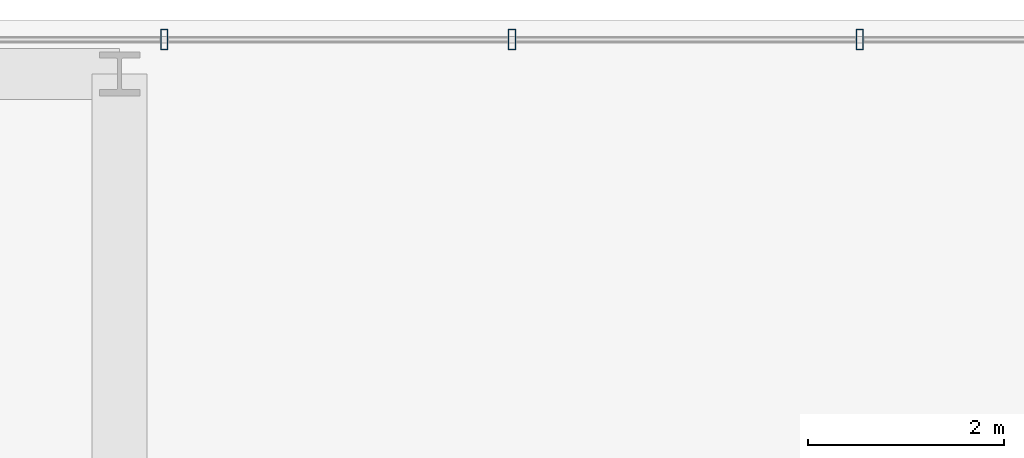
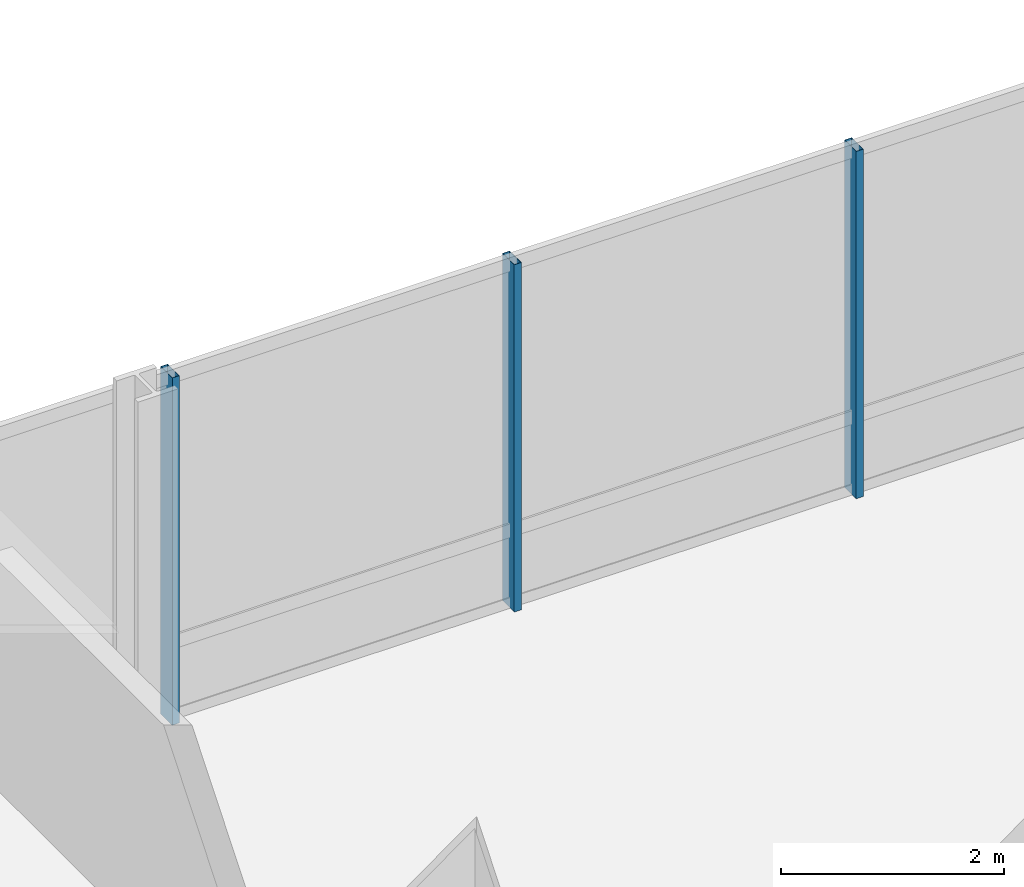
# One storey, part 24 of 34: 3 members, 1 element without a shape of its own.
"""IFC4 building model written with IfcOpenShell, lengths in metres."""

from ifc_helpers import new_model, si_unit, direction, frame, origin, origin_2d, place, context, subcontext, project, spatial, hollow_rectangle, extrude, material, material_profile, profile_set, type_object, element, aggregate, save


model = new_model("IFC4")

# Units and contexts
model_context = context("Model", 3, precision=1e-05, world=origin(), true_north=direction((0.0, 1.0)))
body_context = subcontext(model_context, "Body", "Model", "MODEL_VIEW")
ifc_project = project(units=[si_unit("LENGTHUNIT", "METRE"), si_unit("AREAUNIT", "SQUARE_METRE"), si_unit("VOLUMEUNIT", "CUBIC_METRE"), si_unit("PLANEANGLEUNIT", "RADIAN"), si_unit("MASSUNIT", "GRAM", prefix="KILO")], contexts=[model_context])

# Site, building, storey
site_placement = place(None, origin())
site = spatial("IfcSite", under=ifc_project, at=site_placement, CompositionType="ELEMENT")
building_placement = place(site_placement, origin())
building = spatial("IfcBuilding", under=site, at=building_placement, Name="Punatoya Terracotta Tower", CompositionType="ELEMENT")
storey_placement = place(building_placement, frame((0.0, 0.0, 117.300048828125)))
storey = spatial("IfcBuildingStorey", under=building, at=storey_placement, Name="L27", CompositionType="ELEMENT", Elevation=117.300048828125)

# Curtain wall, members
ifc_material_1 = material(Name="Aluminium 6063-T6 + Double Low-E Glass", Category="aluminium")
curtain_wall_type = type_object("IfcCurtainWallType", Name="CW-M1", PredefinedType="NOTDEFINED", material=ifc_material_1)
curtain_wall_placement = place(storey_placement, origin())
curtain_wall = element("IfcCurtainWall", 1, at=curtain_wall_placement, inside=storey, type_object=curtain_wall_type, Name="L27 Curtain Wall CW-L27-N08-1", PredefinedType="NOTDEFINED")
ifc_material_2 = material(Name="Aluminium 6063-T6", Category="aluminium")
ifc_material_profile = material_profile(ifc_material_2, hollow_rectangle(XDim=0.074951171875, YDim=0.2099609375, WallThickness=0.00439453125, at=origin_2d()))
ifc_profile_set = profile_set([ifc_material_profile], Name="Aluminium 6063-T6")
member_type = type_object("IfcMemberType", Name="CW-MUL-M1", PredefinedType="MULLION", material=ifc_profile_set)
member_1_placement = place(storey_placement, frame((11.3525390625, 23.25, 0.0), z_axis=(0.0, 0.0, 1.0), x_axis=(1.0, 0.0, 0.0)))
member_1 = element("IfcMember", 2, at=member_1_placement, type_object=member_type, Name="CW-L27-N08-1 Mullion 02", PredefinedType="MULLION", context=body_context, shape_type="SweptSolid", body=[
    extrude(hollow_rectangle(XDim=0.074951171875, YDim=0.2099609375, WallThickness=0.00439453125, at=origin_2d()), origin(), (0.0, 0.0, 1.0), 3.81005859375),
])
member_2_placement = place(storey_placement, frame((7.803955078125, 23.25, 0.0), z_axis=(0.0, 0.0, 1.0), x_axis=(1.0, 0.0, 0.0)))
member_2 = element("IfcMember", 3, at=member_2_placement, type_object=member_type, Name="CW-L27-N08-1 Mullion 03", PredefinedType="MULLION", context=body_context, shape_type="SweptSolid", body=[
    extrude(hollow_rectangle(XDim=0.074951171875, YDim=0.2099609375, WallThickness=0.00439453125, at=origin_2d()), origin(), (0.0, 0.0, 1.0), 3.81005859375),
])
member_3_placement = place(storey_placement, frame((4.255126953125, 23.25, 0.0), z_axis=(0.0, 0.0, 1.0), x_axis=(1.0, 0.0, 0.0)))
member_3 = element("IfcMember", 4, at=member_3_placement, type_object=member_type, Name="CW-L27-N08-1 Mullion 04", PredefinedType="MULLION", context=body_context, shape_type="SweptSolid", body=[
    extrude(hollow_rectangle(XDim=0.074951171875, YDim=0.2099609375, WallThickness=0.00439453125, at=origin_2d()), origin(), (0.0, 0.0, 1.0), 3.81005859375),
])
aggregate(curtain_wall, [member_1, member_2, member_3])

save(model, "model.ifc")
